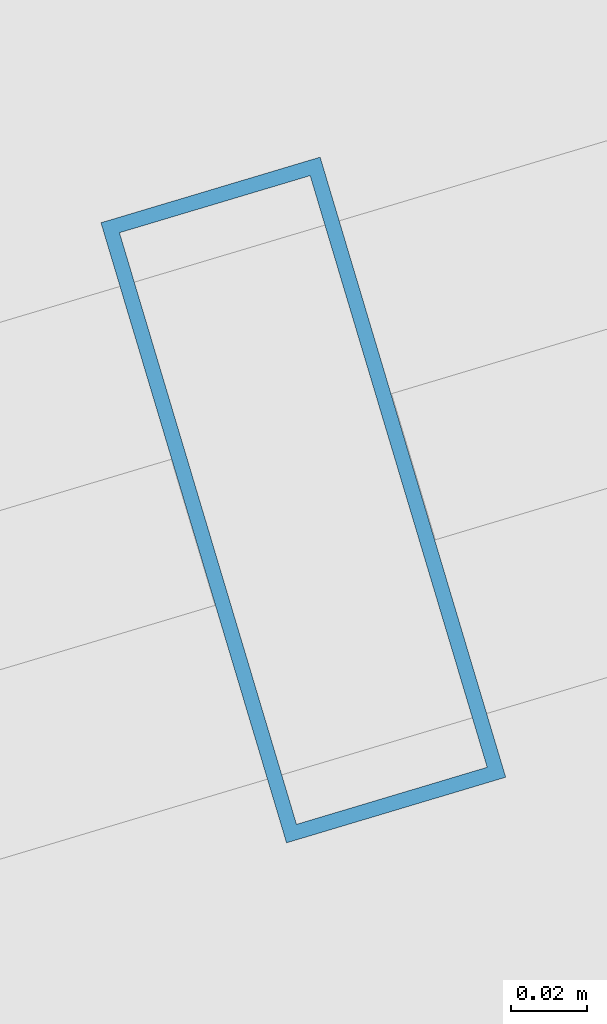
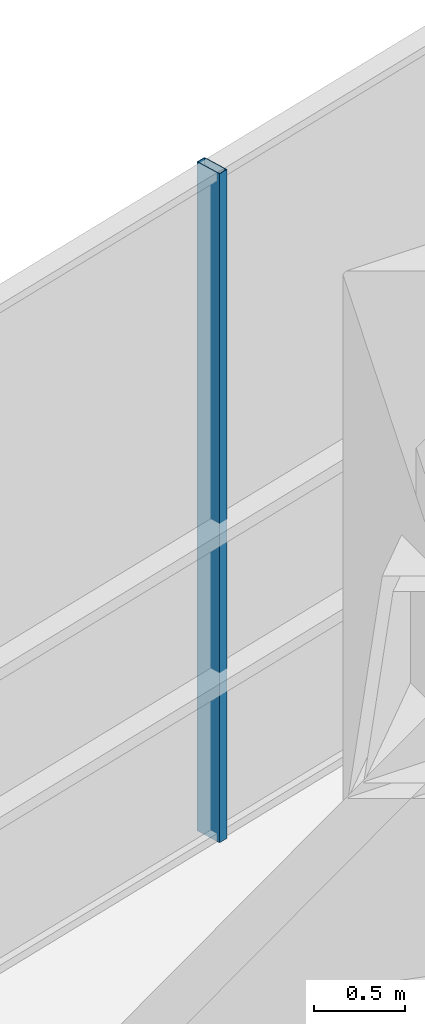
# One storey, part 27 of 41: 1 member, 1 element without a shape of its own.
"""IFC4 building model written with IfcOpenShell, lengths in metres."""

from ifc_helpers import new_model, si_unit, direction, frame, origin, origin_2d, place, context, subcontext, project, spatial, hollow_rectangle, extrude, source, transform, mapped, material, layer, layer_set, material_profile, profile_set, type_object, element, aggregate, save


model = new_model("IFC4")

# Units and contexts
model_context = context("Model", 3, precision=1e-05, world=origin(), true_north=direction((0.0, 1.0)))
body_context = subcontext(model_context, "Body", "Model", "MODEL_VIEW")
ifc_project = project(units=[si_unit("LENGTHUNIT", "METRE"), si_unit("AREAUNIT", "SQUARE_METRE"), si_unit("VOLUMEUNIT", "CUBIC_METRE"), si_unit("PLANEANGLEUNIT", "RADIAN"), si_unit("MASSUNIT", "GRAM", prefix="KILO")], contexts=[model_context])

# Site, building, storey
site_placement = place(None, origin())
site = spatial("IfcSite", under=ifc_project, at=site_placement, CompositionType="ELEMENT")
building_placement = place(site_placement, origin())
building = spatial("IfcBuilding", under=site, at=building_placement, Name="Veraguas Prism Commons", CompositionType="ELEMENT")
storey_placement = place(building_placement, frame((0.0, 0.0, 80.35009765625)))
storey = spatial("IfcBuildingStorey", under=building, at=storey_placement, Name="L22", CompositionType="ELEMENT", Elevation=80.35009765625)

# Curtain wall, member
ifc_material = material(Name="Anodised aluminium EN AW-6063 T6", Category="aluminium")
ifc_layer = layer(ifc_material, 0.169921875, Name="Unitised Flush Curtain Wall Zone 1", Category="aluminium")
ifc_layer_set = layer_set([ifc_layer], Name="Anodised aluminium EN AW-6063 T6")
curtain_wall_type = type_object("IfcCurtainWallType", Name="Unitised Flush Curtain Wall Zone 1", PredefinedType="NOTDEFINED", material=ifc_layer_set)
curtain_wall_placement = place(storey_placement, origin())
curtain_wall = element("IfcCurtainWall", 1, at=curtain_wall_placement, inside=storey, type_object=curtain_wall_type, Name="Tower Facade Curtain Wall L22-F2", PredefinedType="NOTDEFINED")
ifc_material_profile = material_profile(ifc_material, hollow_rectangle(XDim=0.06005859375, YDim=0.169921875, WallThickness=0.00390625, at=origin_2d()), Name="AL60X170X4")
ifc_profile_set = profile_set([ifc_material_profile], Name="Anodised aluminium EN AW-6063 T6")
member_type = type_object("IfcMemberType", Name="Curtain Wall Mullion Lower AL 60x170x4", PredefinedType="MULLION", material=ifc_profile_set)
shared_shape = source(origin(), body_context, "Body", "SweptSolid", [
    extrude(hollow_rectangle(XDim=0.06005859375, YDim=0.169921875, WallThickness=0.00390625, at=origin_2d()), origin(), (0.0, 0.0, 1.0), 4.47998046875),
])
member_placement = place(storey_placement, frame((18.041259765625, 43.912109375, 0.0), z_axis=(0.0, 0.0, 1.0), x_axis=(-0.958022876902, -0.286691763629, 0.0)))
member = element("IfcMember", 2, at=member_placement, type_object=member_type, Name="CW-Z1 Mullion 3", PredefinedType="MULLION", context=body_context, shape_type="MappedRepresentation", body=[
    mapped(shared_shape, transform((0.0, 0.0, 0.0), scale=1.0)),
])
aggregate(curtain_wall, [member])

save(model, "model.ifc")
